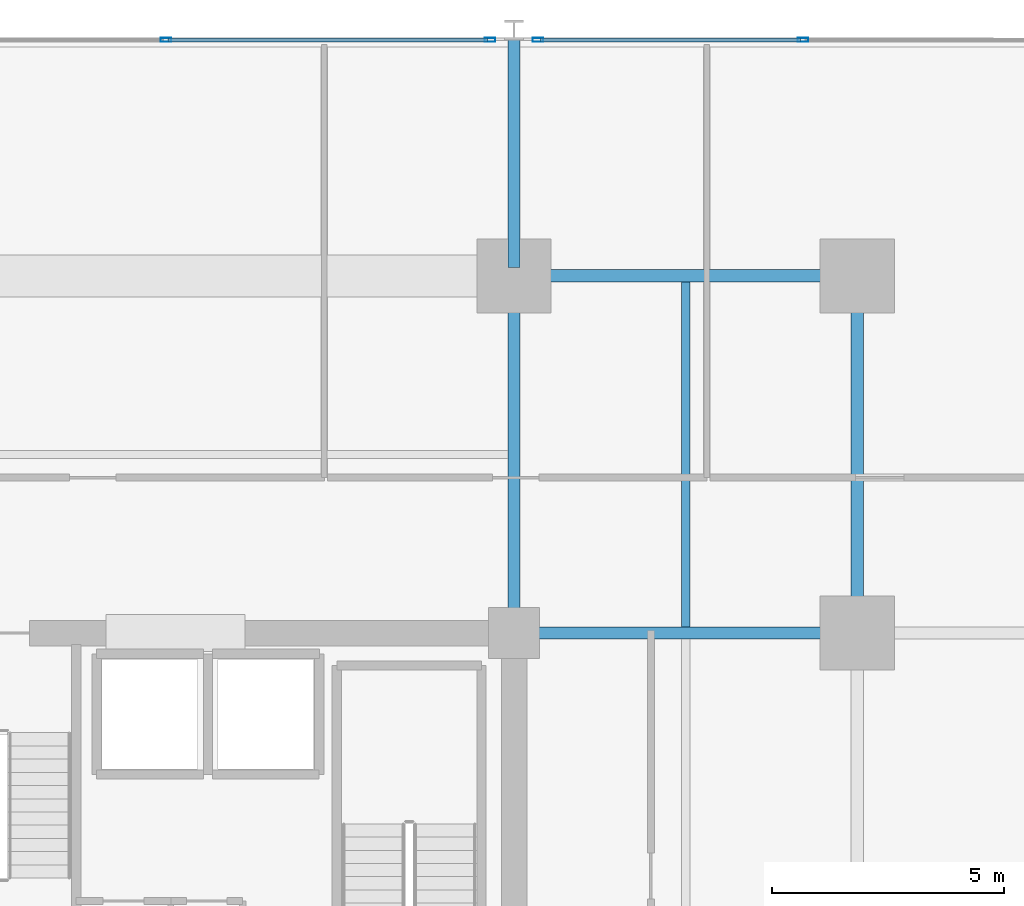
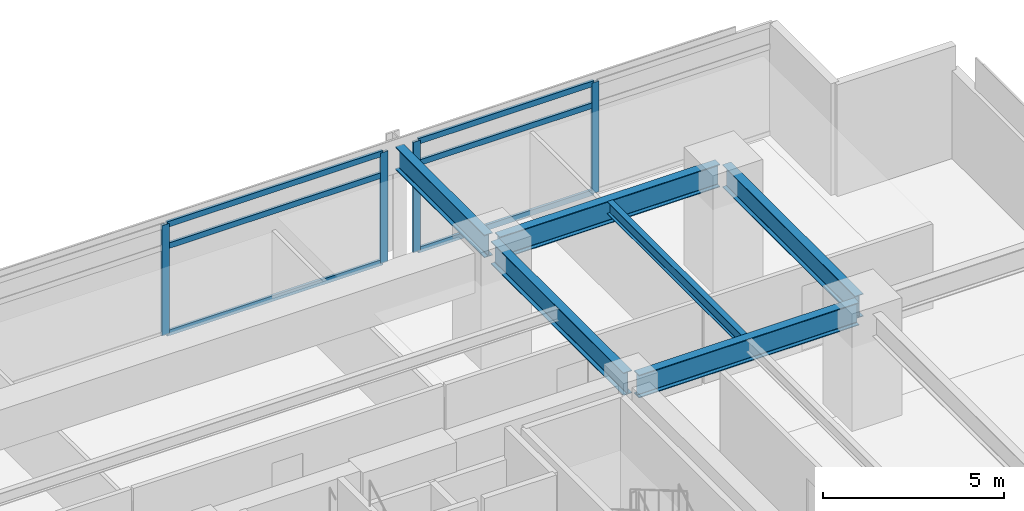
# One storey, part 10 of 21: 10 members, 6 beams, 2 elements without a shape of their own.
"""IFC4 building model written with IfcOpenShell, lengths in metres."""

from ifc_helpers import new_model, si_unit, direction, frame, origin, origin_2d, place, context, subcontext, project, spatial, hollow_rectangle, i_section, extrude, material, material_profile, profile_set, type_object, element, aggregate, save


model = new_model("IFC4")

# Units and contexts
model_context = context("Model", 3, precision=1e-05, world=origin(), true_north=direction((0.0, 1.0)))
body_context = subcontext(model_context, "Body", "Model", "MODEL_VIEW")
ifc_project = project(units=[si_unit("LENGTHUNIT", "METRE"), si_unit("AREAUNIT", "SQUARE_METRE"), si_unit("VOLUMEUNIT", "CUBIC_METRE"), si_unit("PLANEANGLEUNIT", "RADIAN"), si_unit("MASSUNIT", "GRAM", prefix="KILO")], contexts=[model_context])

# Site, building, storey
site_placement = place(None, origin())
site = spatial("IfcSite", under=ifc_project, at=site_placement, CompositionType="ELEMENT")
building_placement = place(site_placement, origin())
building = spatial("IfcBuilding", under=site, at=building_placement, Name="Kovane Verandah Tower", CompositionType="ELEMENT")
storey_placement = place(building_placement, frame((0.0, 0.0, 172.39990234375)))
storey = spatial("IfcBuildingStorey", under=building, at=storey_placement, Name="L40", CompositionType="ELEMENT", Elevation=172.39990234375)

# Beams
ifc_material_1 = material(Name="Steel S355", Category="steel")
ifc_material_profile_1 = material_profile(ifc_material_1, i_section(OverallWidth=0.26806640625, OverallDepth=0.769775390625, WebThickness=0.015625, FlangeThickness=0.025390625, FilletRadius=0.0166015625, at=origin_2d()), Name="UB762x267x197")
ifc_profile_set_1 = profile_set([ifc_material_profile_1], Name="Steel S355")
beam_type_1 = type_object("IfcBeamType", Name="BM-UB762x197", PredefinedType="BEAM", material=ifc_profile_set_1)
beam_1_placement = place(storey_placement, frame((51.179931640625, 44.199951171875, 3.39013671875), z_axis=(1.0, 0.0, 0.0), x_axis=(0.0, 1.0, 0.0)))
element("IfcBeam", 1, at=beam_1_placement, inside=storey, type_object=beam_type_1, Name="L40 Primary Tower Girder G-RN3", PredefinedType="BEAM", context=body_context, shape_type="SweptSolid", body=[
    extrude(i_section(OverallWidth=0.26806640625, OverallDepth=0.769775390625, WebThickness=0.015625, FlangeThickness=0.025390625, FilletRadius=0.0166015625, at=origin_2d()), origin(), (0.0, 0.0, 1.0), 7.0400390625),
])
beam_2_placement = place(storey_placement, frame((58.39990234375, 36.679931640625, 3.39013671875), z_axis=(0.0, 1.0, 0.0), x_axis=(-1.0, 0.0, 0.0)))
element("IfcBeam", 2, at=beam_2_placement, inside=storey, type_object=beam_type_1, Name="L40 Primary Tower Girder G-RE3", PredefinedType="BEAM", context=body_context, shape_type="SweptSolid", body=[
    extrude(i_section(OverallWidth=0.26806640625, OverallDepth=0.769775390625, WebThickness=0.015625, FlangeThickness=0.025390625, FilletRadius=0.0166015625, at=origin_2d()), origin(), (0.0, 0.0, 1.0), 7.340087890625),
])
beam_3_placement = place(storey_placement, frame((51.179931640625, 36.5, 3.39013671875), z_axis=(1.0, 0.0, 0.0), x_axis=(0.0, 1.0, 0.0)))
element("IfcBeam", 3, at=beam_3_placement, inside=storey, type_object=beam_type_1, Name="L40 Primary Tower Girder G-E2", PredefinedType="BEAM", context=body_context, shape_type="SweptSolid", body=[
    extrude(i_section(OverallWidth=0.26806640625, OverallDepth=0.769775390625, WebThickness=0.015625, FlangeThickness=0.025390625, FilletRadius=0.0166015625, at=origin_2d()), origin(), (0.0, 0.0, 1.0), 7.0400390625),
])
beam_4_placement = place(storey_placement, frame((51.0, 36.679931640625, 3.39013671875), z_axis=(0.0, 1.0, 0.0), x_axis=(-1.0, 0.0, 0.0)))
element("IfcBeam", 4, at=beam_4_placement, inside=storey, type_object=beam_type_1, Name="L40 Primary Tower Girder G-N2", PredefinedType="BEAM", context=body_context, shape_type="SweptSolid", body=[
    extrude(i_section(OverallWidth=0.26806640625, OverallDepth=0.769775390625, WebThickness=0.015625, FlangeThickness=0.025390625, FilletRadius=0.0166015625, at=origin_2d()), origin(), (0.0, 0.0, 1.0), 7.340087890625),
])
beam_5_placement = place(storey_placement, frame((51.0, 44.3798828125, 3.375244140625), z_axis=(0.0, 1.0, 0.0), x_axis=(-1.0, 0.0, 0.0)))
element("IfcBeam", 5, at=beam_5_placement, inside=storey, type_object=beam_type_1, Name="L40 Primary Tower Girder G-VN2", PredefinedType="BEAM", context=body_context, shape_type="SweptSolid", body=[
    extrude(i_section(OverallWidth=0.26806640625, OverallDepth=0.769775390625, WebThickness=0.015625, FlangeThickness=0.025390625, FilletRadius=0.0166015625, at=origin_2d()), origin(), (0.0, 0.0, 1.0), 4.940185546875),
])

# Curtain wall, members
ifc_material_2 = material(Name="Champagne Anodised Aluminium Frame with Low-E Clear Laminated Glass", Category="aluminium")
curtain_wall_type = type_object("IfcCurtainWallType", Name="CW-SYS-03-MID", PredefinedType="NOTDEFINED", material=ifc_material_2)
curtain_wall_1_placement = place(storey_placement, origin())
curtain_wall_1 = element("IfcCurtainWall", 6, at=curtain_wall_1_placement, inside=storey, type_object=curtain_wall_type, Name="L40 N Unitised Curtain Wall-1", PredefinedType="NOTDEFINED")
ifc_material_3 = material(Name="Champagne Anodised Aluminium 6063-T6", Category="aluminium")
ifc_material_profile_2 = material_profile(ifc_material_3, hollow_rectangle(XDim=0.0849609375, YDim=0.22998046875, WallThickness=0.00390625, at=origin_2d()), Name="AL85x230x4")
ifc_profile_set_2 = profile_set([ifc_material_profile_2], Name="Champagne Anodised Aluminium 6063-T6")
member_type_1 = type_object("IfcMemberType", Name="CW-MUL-85x230", PredefinedType="MULLION", material=ifc_profile_set_2)
member_1_placement = place(storey_placement, frame((57.229248046875, 49.289306640625, 0.02001953125), z_axis=(0.0, 0.0, 1.0), x_axis=(0.0, 1.0, 0.0)))
member_1 = element("IfcMember", 7, at=member_1_placement, type_object=member_type_1, Name="L40 N Unitised Curtain Wall-1 Mullion 2", PredefinedType="MULLION", context=body_context, shape_type="SweptSolid", body=[
    extrude(hollow_rectangle(XDim=0.0849609375, YDim=0.22998046875, WallThickness=0.00390625, at=origin_2d()), origin(), (0.0, 0.0, 1.0), 3.735107421875),
])
member_2_placement = place(storey_placement, frame((51.52001953125, 49.289306640625, 0.02001953125), z_axis=(0.0, 0.0, 1.0), x_axis=(0.0, 1.0, 0.0)))
member_2 = element("IfcMember", 8, at=member_2_placement, type_object=member_type_1, Name="L40 N Unitised Curtain Wall-1 Mullion 3", PredefinedType="MULLION", context=body_context, shape_type="SweptSolid", body=[
    extrude(hollow_rectangle(XDim=0.0849609375, YDim=0.22998046875, WallThickness=0.00390625, at=origin_2d()), origin(), (0.0, 0.0, 1.0), 3.735107421875),
])

curtain_wall_2_placement = place(storey_placement, origin())
curtain_wall_2 = element("IfcCurtainWall", 9, at=curtain_wall_2_placement, inside=storey, type_object=curtain_wall_type, Name="L40 N Unitised Curtain Wall-2", PredefinedType="NOTDEFINED")
member_3_placement = place(storey_placement, frame((50.47998046875, 49.289306640625, 0.02001953125), z_axis=(0.0, 0.0, 1.0), x_axis=(0.0, 1.0, 0.0)))
member_3 = element("IfcMember", 10, at=member_3_placement, type_object=member_type_1, Name="L40 N Unitised Curtain Wall-2 Mullion 1", PredefinedType="MULLION", context=body_context, shape_type="SweptSolid", body=[
    extrude(hollow_rectangle(XDim=0.0849609375, YDim=0.22998046875, WallThickness=0.00390625, at=origin_2d()), origin(), (0.0, 0.0, 1.0), 3.735107421875),
])
member_4_placement = place(storey_placement, frame((43.493408203125, 49.289306640625, 0.02001953125), z_axis=(0.0, 0.0, 1.0), x_axis=(0.0, 1.0, 0.0)))
member_4 = element("IfcMember", 11, at=member_4_placement, type_object=member_type_1, Name="L40 N Unitised Curtain Wall-2 Mullion 2", PredefinedType="MULLION", context=body_context, shape_type="SweptSolid", body=[
    extrude(hollow_rectangle(XDim=0.0849609375, YDim=0.22998046875, WallThickness=0.00390625, at=origin_2d()), origin(), (0.0, 0.0, 1.0), 3.735107421875),
])

# Member
ifc_material_profile_3 = material_profile(ifc_material_3, hollow_rectangle(XDim=0.0849609375, YDim=0.18994140625, WallThickness=0.00390625, at=origin_2d()), Name="AL85x190x4")
ifc_profile_set_3 = profile_set([ifc_material_profile_3], Name="Champagne Anodised Aluminium 6063-T6")
member_type_2 = type_object("IfcMemberType", Name="CW-TRN-85x190", PredefinedType="USERDEFINED", material=ifc_profile_set_3)
member_5_placement = place(storey_placement, frame((57.17919921875, 49.289306640625, 0.050048828125), z_axis=(-1.0, 0.0, 0.0), x_axis=(0.0, -1.0, 0.0)))
member_5 = element("IfcMember", 12, at=member_5_placement, type_object=member_type_2, Name="L40 N Unitised Curtain Wall-1 Transom TB Bay 2", ObjectType="TRANSOM", PredefinedType="USERDEFINED", context=body_context, shape_type="SweptSolid", body=[
    extrude(hollow_rectangle(XDim=0.0849609375, YDim=0.18994140625, WallThickness=0.00390625, at=origin_2d()), origin(), (0.0, 0.0, 1.0), 5.609130859375),
])

member_6_placement = place(storey_placement, frame((57.17919921875, 49.289306640625, 2.9951171875), z_axis=(-1.0, 0.0, 0.0), x_axis=(0.0, -1.0, 0.0)))
member_6 = element("IfcMember", 13, at=member_6_placement, type_object=member_type_2, Name="L40 N Unitised Curtain Wall-1 Transom TM Bay 2", ObjectType="TRANSOM", PredefinedType="USERDEFINED", context=body_context, shape_type="SweptSolid", body=[
    extrude(hollow_rectangle(XDim=0.0849609375, YDim=0.18994140625, WallThickness=0.00390625, at=origin_2d()), origin(), (0.0, 0.0, 1.0), 5.609130859375),
])

member_7_placement = place(storey_placement, frame((57.17919921875, 49.289306640625, 3.72509765625), z_axis=(-1.0, 0.0, 0.0), x_axis=(0.0, -1.0, 0.0)))
member_7 = element("IfcMember", 14, at=member_7_placement, type_object=member_type_2, Name="L40 N Unitised Curtain Wall-1 Transom TT Bay 2", ObjectType="TRANSOM", PredefinedType="USERDEFINED", context=body_context, shape_type="SweptSolid", body=[
    extrude(hollow_rectangle(XDim=0.0849609375, YDim=0.18994140625, WallThickness=0.00390625, at=origin_2d()), origin(), (0.0, 0.0, 1.0), 5.609130859375),
])

aggregate(curtain_wall_1, [member_1, member_2, member_5, member_6, member_7])

member_8_placement = place(storey_placement, frame((50.429931640625, 49.289306640625, 0.050048828125), z_axis=(-1.0, 0.0, 0.0), x_axis=(0.0, -1.0, 0.0)))
member_8 = element("IfcMember", 15, at=member_8_placement, type_object=member_type_2, Name="L40 N Unitised Curtain Wall-2 Transom TB Bay 1", ObjectType="TRANSOM", PredefinedType="USERDEFINED", context=body_context, shape_type="SweptSolid", body=[
    extrude(hollow_rectangle(XDim=0.0849609375, YDim=0.18994140625, WallThickness=0.00390625, at=origin_2d()), origin(), (0.0, 0.0, 1.0), 6.88671875),
])

member_9_placement = place(storey_placement, frame((50.429931640625, 49.289306640625, 2.9951171875), z_axis=(-1.0, 0.0, 0.0), x_axis=(0.0, -1.0, 0.0)))
member_9 = element("IfcMember", 16, at=member_9_placement, type_object=member_type_2, Name="L40 N Unitised Curtain Wall-2 Transom TM Bay 1", ObjectType="TRANSOM", PredefinedType="USERDEFINED", context=body_context, shape_type="SweptSolid", body=[
    extrude(hollow_rectangle(XDim=0.0849609375, YDim=0.18994140625, WallThickness=0.00390625, at=origin_2d()), origin(), (0.0, 0.0, 1.0), 6.88671875),
])

member_10_placement = place(storey_placement, frame((50.429931640625, 49.289306640625, 3.72509765625), z_axis=(-1.0, 0.0, 0.0), x_axis=(0.0, -1.0, 0.0)))
member_10 = element("IfcMember", 17, at=member_10_placement, type_object=member_type_2, Name="L40 N Unitised Curtain Wall-2 Transom TT Bay 1", ObjectType="TRANSOM", PredefinedType="USERDEFINED", context=body_context, shape_type="SweptSolid", body=[
    extrude(hollow_rectangle(XDim=0.0849609375, YDim=0.18994140625, WallThickness=0.00390625, at=origin_2d()), origin(), (0.0, 0.0, 1.0), 6.88671875),
])

aggregate(curtain_wall_2, [member_3, member_4, member_8, member_9, member_10])

# Beam
ifc_material_profile_4 = material_profile(ifc_material_1, i_section(OverallWidth=0.179443359375, OverallDepth=0.412841796875, WebThickness=0.009521484375, FlangeThickness=0.01611328125, FilletRadius=0.01025390625, at=origin_2d()), Name="UB406x178x74")
ifc_profile_set_4 = profile_set([ifc_material_profile_4], Name="Steel S355")
beam_type_2 = type_object("IfcBeamType", Name="JST-UB406x74", PredefinedType="JOIST", material=ifc_profile_set_4)
beam_6_placement = place(storey_placement, frame((54.699951171875, 36.632080078125, 3.568603515625), z_axis=(0.0, 1.0, 0.0), x_axis=(-1.0, 0.0, 0.0)))
element("IfcBeam", 18, at=beam_6_placement, inside=storey, type_object=beam_type_2, Name="L40 Secondary Composite Joist J-NE1", PredefinedType="JOIST", context=body_context, shape_type="SweptSolid", body=[
    extrude(i_section(OverallWidth=0.179443359375, OverallDepth=0.412841796875, WebThickness=0.009521484375, FlangeThickness=0.01611328125, FilletRadius=0.01025390625, at=origin_2d()), origin(), (0.0, 0.0, 1.0), 7.43603515625),
])

save(model, "model.ifc")
